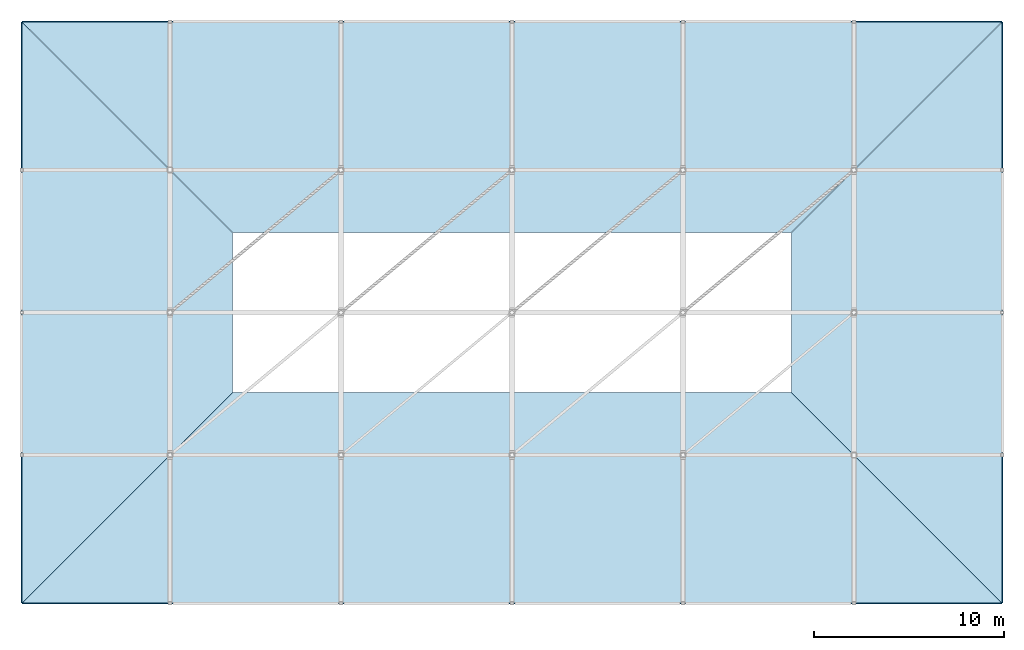
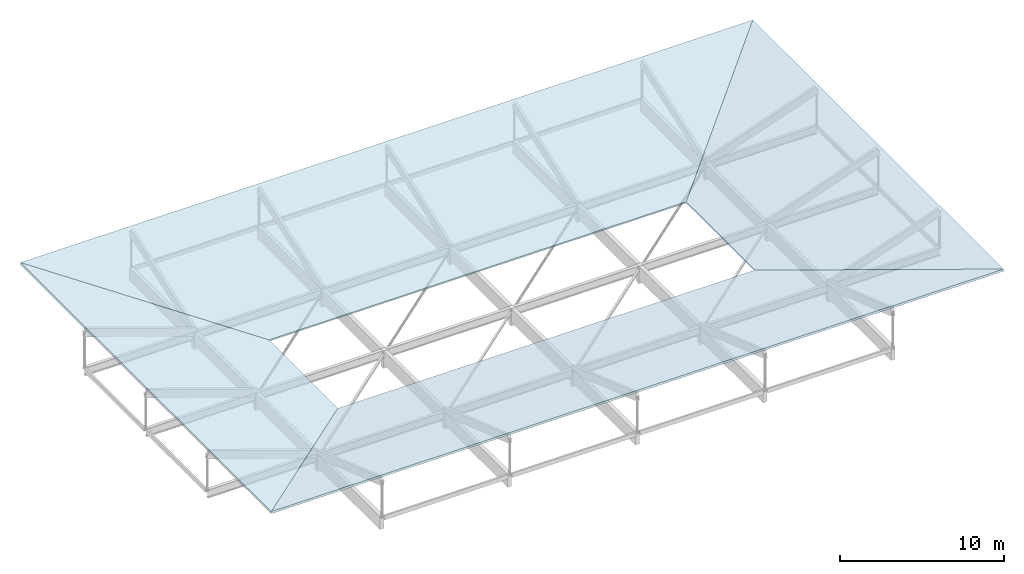
# One storey, part 17 of 19: 4 slabs.
"""IFC4 building model written with IfcOpenShell, lengths in metres."""

from ifc_helpers import new_model, si_unit, direction, frame, origin, place, context, subcontext, project, spatial, polyline, outline, extrude, material, layer, layer_set, type_object, element, save


model = new_model("IFC4")

# Units and contexts
model_context = context("Model", 3, precision=1e-05, world=origin(), true_north=direction((0.0, 1.0)))
body_context = subcontext(model_context, "Body", "Model", "MODEL_VIEW")
ifc_project = project(units=[si_unit("LENGTHUNIT", "METRE"), si_unit("AREAUNIT", "SQUARE_METRE"), si_unit("VOLUMEUNIT", "CUBIC_METRE"), si_unit("PLANEANGLEUNIT", "RADIAN"), si_unit("MASSUNIT", "GRAM", prefix="KILO")], contexts=[model_context])

# Site, building, storey
site_placement = place(None, origin())
site = spatial("IfcSite", under=ifc_project, at=site_placement, CompositionType="ELEMENT")
building_placement = place(site_placement, origin())
building = spatial("IfcBuilding", under=site, at=building_placement, Name="Marnridge Secondary College", CompositionType="ELEMENT")
storey_placement = place(building_placement, frame((0.0, 0.0, 23.699951171875)))
storey = spatial("IfcBuildingStorey", under=building, at=storey_placement, Name="Roof Level", CompositionType="ELEMENT", Elevation=23.699951171875)

# Slabs
ifc_material = material(Name="Sky-blue painted cross-laminated timber CL5", Category="wood")
ifc_layer = layer(ifc_material, 0.139892578125)
ifc_layer_set = layer_set([ifc_layer], Name="SL-CAN-140")
slab_type = type_object("IfcSlabType", Name="SL-CAN-140", PredefinedType="ROOF", material=ifc_layer_set)
for number, where, z_axis, x_axis, name in (
    (1, (46.199951171875, 44.699951171875, 4.357421875), (0.0, 0.254597993073, 0.967046980205), (1.0, 0.0, 0.0), "Hovering folded roof canopy facet SC-CAN-S"),
    (2, (97.800048828125, 75.300048828125, 4.357421875), (0.0, -0.254597993073, 0.967046980205), (-1.0, 0.0, 0.0), "Hovering folded roof canopy facet SC-CAN-N"),
):
    element("IfcSlab", number, at=place(storey_placement, frame(where, z_axis=z_axis, x_axis=x_axis)), inside=storey, type_object=slab_type, Name=name, PredefinedType="ROOF", context=body_context, shape_type="SweptSolid", body=[
        extrude(outline(polyline([(0.0, 0.0), (51.60009765625, 0.0), (40.5, 11.47834374489129), (11.10009765625, 11.47834374489129), (0.0, 0.0)])), origin(), (0.0, 0.0, -1.0), 0.139892578125),
    ])
for number, where, z_axis, x_axis, name in (
    (3, (46.199951171875, 75.300048828125, 4.357421875), (0.254597993073, 0.0, 0.967046980205), (0.0, -1.0, 0.0), "Hovering folded roof canopy facet SC-CAN-W"),
    (4, (97.800048828125, 44.699951171875, 4.357421875), (-0.254597993073, 0.0, 0.967046980205), (0.0, 1.0, 0.0), "Hovering folded roof canopy facet SC-CAN-E"),
):
    element("IfcSlab", number, at=place(storey_placement, frame(where, z_axis=z_axis, x_axis=x_axis)), inside=storey, type_object=slab_type, Name=name, PredefinedType="ROOF", context=body_context, shape_type="SweptSolid", body=[
        extrude(outline(polyline([(0.0, 0.0), (30.60009765625, 0.0), (19.5, 11.478343744891289), (11.10009765625, 11.478343744891289), (0.0, 0.0)])), origin(), (0.0, 0.0, -1.0), 0.139892578125),
    ])

save(model, "model.ifc")
